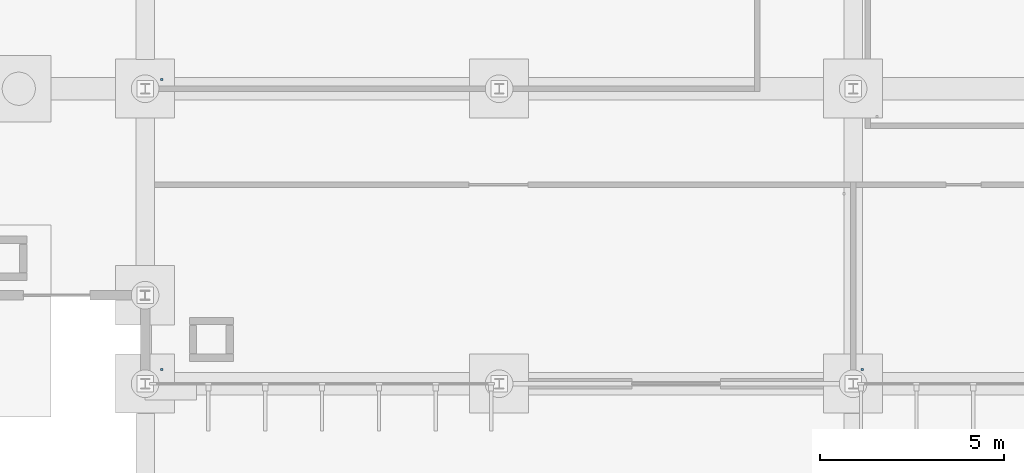
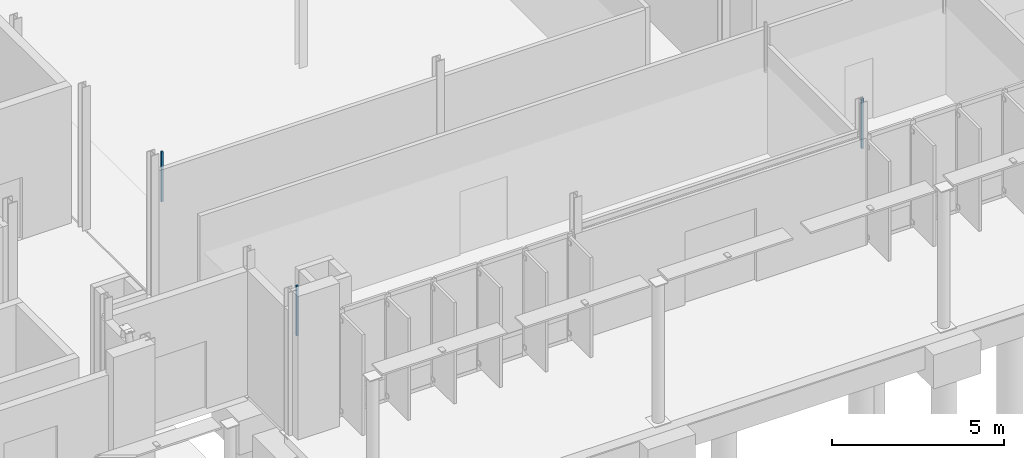
# One storey, part 89 of 111: 3 discrete accessories.
"""IFC4 building model written with IfcOpenShell, lengths in metres."""

import ifcopenshell
import ifcopenshell.guid

model = None  # the IFC model being written
_history = None  # IfcOwnerHistory: only IFC2X3 demands one
_inside = {}  # id of a spatial element -> (the spatial element, [elements in it])
_under = {}  # id of a project, library or spatial element -> (it, [spatial elements below it])
_declared = {}  # id of a project -> (the project, [libraries it declares])
_typed = {}  # id of a type object -> (the type object, [elements of that type])
_made_of = {}  # id of a material, layer set ... -> (it, [elements and type objects made of it])


def new_model(schema):
    """Start an empty IFC model of exactly this schema.

    Asked for "IFC4X3", IfcOpenShell would pick the latest addendum, in which some entities
    have other attributes; the version numbers below select the first issue.
    IFC2X3 requires an IfcOwnerHistory on every rooted entity: one is made here for all.
    """
    global model, _history
    if schema == "IFC4X3":
        model = ifcopenshell.file(schema_version=(4, 3, 0, 0))
    else:
        model = ifcopenshell.file(schema=schema)
    _inside.clear()
    _under.clear()
    _declared.clear()
    _typed.clear()
    _made_of.clear()
    _history = None
    if model.schema == "IFC2X3":
        org = make("IfcOrganization", Name="unknown")
        user = make(
            "IfcPersonAndOrganization",
            ThePerson=make("IfcPerson", FamilyName="unknown"),
            TheOrganization=org,
        )
        app = make(
            "IfcApplication",
            ApplicationDeveloper=org,
            Version="unknown",
            ApplicationFullName="unknown",
            ApplicationIdentifier="unknown",
        )
        _history = make(
            "IfcOwnerHistory",
            OwningUser=user,
            OwningApplication=app,
            ChangeAction="ADDED",
            CreationDate=0,
        )
    return model


def make(cls, **values):
    """One entity of the class cls with the attributes given. An attribute that is None is left unset."""
    return model.create_entity(
        cls, **{name: value for name, value in values.items() if value is not None}
    )


def rooted(cls, **values):
    """An entity with a GlobalId (a new one), such as an element, a storey or a relation."""
    return make(cls, GlobalId=ifcopenshell.guid.new(), OwnerHistory=_history, **values)


def si_unit(unit_type, name, prefix=None):
    """IfcSIUnit, for example si_unit("LENGTHUNIT", "METRE", prefix="MILLI")."""
    return make("IfcSIUnit", UnitType=unit_type, Prefix=prefix, Name=name)


def assignment(units):
    """IfcUnitAssignment: the units of a project."""
    return None if units is None else make("IfcUnitAssignment", Units=units)


def point(xyz):
    """IfcCartesianPoint."""
    return None if xyz is None else make("IfcCartesianPoint", Coordinates=xyz)


def direction(xyz):
    """IfcDirection."""
    return None if xyz is None else make("IfcDirection", DirectionRatios=xyz)


def frame(location, z_axis=None, x_axis=None):
    """IfcAxis2Placement3D, a coordinate frame: its origin and axes. An axis left out is left unset."""
    return make(
        "IfcAxis2Placement3D",
        Location=point(location),
        Axis=direction(z_axis),
        RefDirection=direction(x_axis),
    )


def origin():
    """The frame at (0, 0, 0) with its axes left unset."""
    return frame((0.0, 0.0, 0.0))


def place(relative_to, where):
    """IfcLocalPlacement: puts the frame where relative to a parent placement (None: the world)."""
    return make(
        "IfcLocalPlacement", PlacementRelTo=relative_to, RelativePlacement=where
    )


def context(
    kind, dimensions, precision=None, world=None, true_north=None, identifier=None
):
    """IfcGeometricRepresentationContext, for example the 3D "Model" context."""
    return make(
        "IfcGeometricRepresentationContext",
        ContextIdentifier=identifier,
        ContextType=kind,
        CoordinateSpaceDimension=dimensions,
        Precision=precision,
        WorldCoordinateSystem=world,
        TrueNorth=true_north,
    )


def subcontext(parent, identifier, kind, view, scale=None):
    """IfcGeometricRepresentationSubContext, for example "Body" below "Model"."""
    return make(
        "IfcGeometricRepresentationSubContext",
        ContextIdentifier=identifier,
        ContextType=kind,
        ParentContext=parent,
        TargetScale=scale,
        TargetView=view,
    )


def project(units=None, contexts=None):
    """IfcProject with its units and contexts."""
    return rooted(
        "IfcProject",
        Name="project",
        RepresentationContexts=contexts,
        UnitsInContext=assignment(units),
    )


def spatial(cls, under=None, at=None, **own):
    """A site, building, storey or space (cls), placed at a placement, below another one or the project."""
    s = rooted(cls, ObjectPlacement=at, **own)
    if under is not None:
        _under.setdefault(under.id(), (under, []))[1].append(s)
    return s


def polyline(points):
    """IfcPolyline through the points."""
    return make("IfcPolyline", Points=[point(p) for p in points])


def outline(outer, holes=None, kind="AREA"):
    """IfcArbitraryClosedProfileDef: a profile drawn as a closed curve; with holes, ...WithVoids."""
    if holes is None:
        return make("IfcArbitraryClosedProfileDef", ProfileType=kind, OuterCurve=outer)
    return make(
        "IfcArbitraryProfileDefWithVoids",
        ProfileType=kind,
        OuterCurve=outer,
        InnerCurves=holes,
    )


def extrude(swept, where, along, depth):
    """IfcExtrudedAreaSolid: the profile swept, set in the frame where, extruded along a direction by depth."""
    return make(
        "IfcExtrudedAreaSolid",
        SweptArea=swept,
        Position=where,
        ExtrudedDirection=direction(along),
        Depth=depth,
    )


def shape(context_of_items, identifier, shape_type, items):
    """IfcShapeRepresentation: the items that make up one representation, for example the "Body"."""
    return make(
        "IfcShapeRepresentation",
        ContextOfItems=context_of_items,
        RepresentationIdentifier=identifier,
        RepresentationType=shape_type,
        Items=items,
    )


def material(Name=None, Category=None):
    """IfcMaterial."""
    return make("IfcMaterial", Name=Name, Category=Category)


def made_of(thing, what):
    """Note that an element or type object is made of a material, layer set ...; save() writes the relation."""
    if what is not None:
        _made_of.setdefault(what.id(), (what, []))[1].append(thing)
    return thing


def type_object(cls, material=None, **own):
    """A type object (cls), such as IfcWallType, which elements share."""
    return made_of(rooted(cls, **own), material)


def element(
    cls,
    number,
    at=None,
    inside=None,
    cuts=None,
    type_object=None,
    material=None,
    context=None,
    identifier="Body",
    shape_type=None,
    held_by="IfcProductDefinitionShape",
    body=None,
    shapes=None,
    **own,
):
    """One element of the class cls, such as IfcWall. Its Tag is "e" and its number.

    at: its placement. inside: the storey or other place that contains it. cuts: it is an
    opening in that element (IfcRelVoidsElement). A single representation is given by context,
    identifier, shape_type and body (its items); several are given by shapes. held_by: the class
    of the entity that holds the representations. save() writes the other relations.
    """
    e = rooted(cls, Tag="e%d" % number, ObjectPlacement=at, **own)
    if body is not None:
        shapes = [shape(context, identifier, shape_type, body)]
    if shapes is not None:
        e.Representation = make(held_by, Representations=shapes)
    if inside is not None:
        _inside.setdefault(inside.id(), (inside, []))[1].append(e)
    if cuts is not None:
        rooted(
            "IfcRelVoidsElement", RelatingBuildingElement=cuts, RelatedOpeningElement=e
        )
    if type_object is not None:
        _typed.setdefault(type_object.id(), (type_object, []))[1].append(e)
    return made_of(e, material)


def aggregate(whole, parts):
    """IfcRelAggregates: a whole, such as a stair, and the parts it consists of."""
    return rooted("IfcRelAggregates", RelatingObject=whole, RelatedObjects=parts)


def save(model, path):
    """Write the relations noted so far, then the file.

    IfcRelAggregates (storeys below a building ...), IfcRelContainedInSpatialStructure (elements
    in a storey), IfcRelDefinesByType, IfcRelAssociatesMaterial and IfcRelDeclares: one each for
    every whole, place, type object, material and project.
    """
    for whole, parts in _under.values():
        aggregate(whole, parts)
    for where, things in _inside.values():
        rooted(
            "IfcRelContainedInSpatialStructure",
            RelatedElements=things,
            RelatingStructure=where,
        )
    for kind, things in _typed.values():
        rooted("IfcRelDefinesByType", RelatedObjects=things, RelatingType=kind)
    for what, things in _made_of.values():
        rooted("IfcRelAssociatesMaterial", RelatedObjects=things, RelatingMaterial=what)
    for by, libraries in _declared.values():
        rooted("IfcRelDeclares", RelatingContext=by, RelatedDefinitions=libraries)
    model.write(path)


model = new_model("IFC4")

# Units and contexts
model_context = context("Model", 3, precision=1e-05, world=origin(), true_north=direction((0.0, 1.0)))
body_context = subcontext(model_context, "Body", "Model", "MODEL_VIEW")
ifc_project = project(units=[si_unit("LENGTHUNIT", "METRE"), si_unit("AREAUNIT", "SQUARE_METRE"), si_unit("VOLUMEUNIT", "CUBIC_METRE"), si_unit("PLANEANGLEUNIT", "RADIAN"), si_unit("MASSUNIT", "GRAM", prefix="KILO")], contexts=[model_context])

# Site, building, storey
site_placement = place(None, origin())
site = spatial("IfcSite", under=ifc_project, at=site_placement, CompositionType="ELEMENT")
building_placement = place(site_placement, origin())
building = spatial("IfcBuilding", under=site, at=building_placement, Name="Dunescarp Central Library", CompositionType="ELEMENT")
storey_placement = place(building_placement, origin())
storey = spatial("IfcBuildingStorey", under=building, at=storey_placement, Name="L00", CompositionType="ELEMENT", Elevation=0.0)

# Discrete accessories
ifc_material = material(Name="Stainless steel Grade 316L", Category="steel")
discrete_accessory_type = type_object("IfcDiscreteAccessoryType", Name="ARC-ACC-BRK", PredefinedType="BRACKET", material=ifc_material)
discrete_accessory_1_placement = place(storey_placement, frame((0.0, 0.0, 3.06005859375)))
element("IfcDiscreteAccessory", 1, at=discrete_accessory_1_placement, inside=storey, type_object=discrete_accessory_type, Name="L00 ceiling hanger CLG-L00-139-H1", PredefinedType="BRACKET", context=body_context, shape_type="SweptSolid", body=[
    extrude(outline(polyline([(130.02001953125, 5.159912109375), (130.080078125, 5.159912109375), (130.080078125, 5.219970703125), (130.02001953125, 5.219970703125), (130.02001953125, 5.159912109375)])), origin(), (0.0, 0.0, 1.0), 1.780029296875),
])
discrete_accessory_2_placement = place(storey_placement, frame((0.0, 0.0, 3.06005859375)))
element("IfcDiscreteAccessory", 2, at=discrete_accessory_2_placement, inside=storey, type_object=discrete_accessory_type, Name="L00 ceiling hanger CLG-L00-140-H1", PredefinedType="BRACKET", context=body_context, shape_type="SweptSolid", body=[
    extrude(outline(polyline([(149.02001953125, 5.159912109375), (149.080078125, 5.159912109375), (149.080078125, 5.219970703125), (149.02001953125, 5.219970703125), (149.02001953125, 5.159912109375)])), origin(), (0.0, 0.0, 1.0), 1.780029296875),
])
discrete_accessory_3_placement = place(storey_placement, frame((0.0, 0.0, 3.06005859375)))
element("IfcDiscreteAccessory", 3, at=discrete_accessory_3_placement, inside=storey, type_object=discrete_accessory_type, Name="L00 ceiling hanger CLG-L00-141-H1", PredefinedType="BRACKET", context=body_context, shape_type="SweptSolid", body=[
    extrude(outline(polyline([(130.02001953125, 13.02001953125), (130.080078125, 13.02001953125), (130.080078125, 13.080078125), (130.02001953125, 13.080078125), (130.02001953125, 13.02001953125)])), origin(), (0.0, 0.0, 1.0), 1.780029296875),
])

save(model, "model.ifc")
